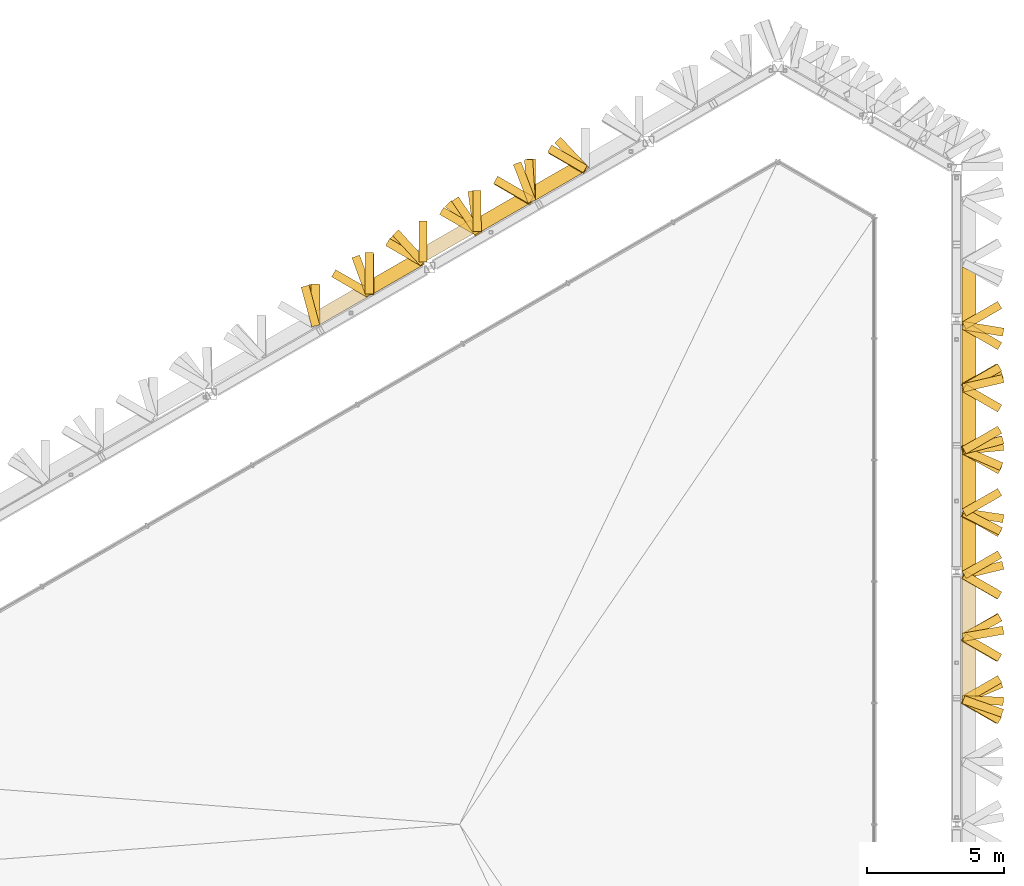
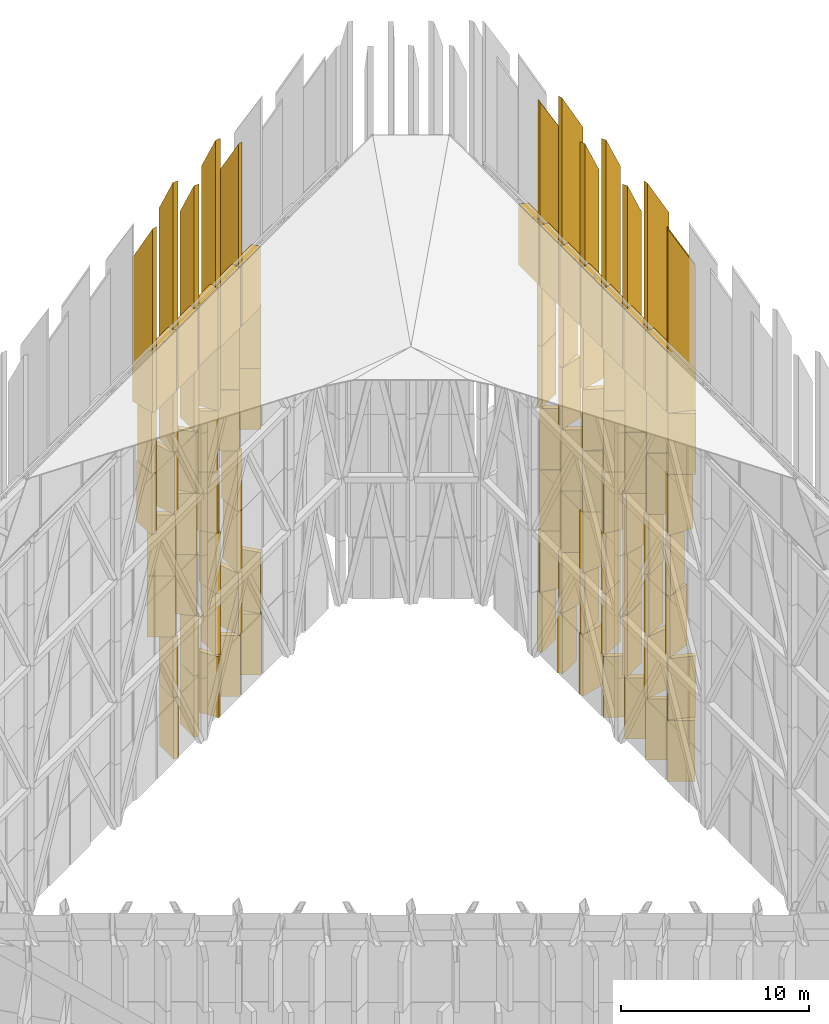
# One storey, part 43 of 45: 96 shading devices.
"""IFC4 building model written with IfcOpenShell, lengths in metres."""

import ifcopenshell
import ifcopenshell.guid

model = None  # the IFC model being written
_history = None  # IfcOwnerHistory: only IFC2X3 demands one
_inside = {}  # id of a spatial element -> (the spatial element, [elements in it])
_under = {}  # id of a project, library or spatial element -> (it, [spatial elements below it])
_declared = {}  # id of a project -> (the project, [libraries it declares])
_typed = {}  # id of a type object -> (the type object, [elements of that type])
_made_of = {}  # id of a material, layer set ... -> (it, [elements and type objects made of it])


def new_model(schema):
    """Start an empty IFC model of exactly this schema.

    Asked for "IFC4X3", IfcOpenShell would pick the latest addendum, in which some entities
    have other attributes; the version numbers below select the first issue.
    IFC2X3 requires an IfcOwnerHistory on every rooted entity: one is made here for all.
    """
    global model, _history
    if schema == "IFC4X3":
        model = ifcopenshell.file(schema_version=(4, 3, 0, 0))
    else:
        model = ifcopenshell.file(schema=schema)
    _inside.clear()
    _under.clear()
    _declared.clear()
    _typed.clear()
    _made_of.clear()
    _history = None
    if model.schema == "IFC2X3":
        org = make("IfcOrganization", Name="unknown")
        user = make(
            "IfcPersonAndOrganization",
            ThePerson=make("IfcPerson", FamilyName="unknown"),
            TheOrganization=org,
        )
        app = make(
            "IfcApplication",
            ApplicationDeveloper=org,
            Version="unknown",
            ApplicationFullName="unknown",
            ApplicationIdentifier="unknown",
        )
        _history = make(
            "IfcOwnerHistory",
            OwningUser=user,
            OwningApplication=app,
            ChangeAction="ADDED",
            CreationDate=0,
        )
    return model


def make(cls, **values):
    """One entity of the class cls with the attributes given. An attribute that is None is left unset."""
    return model.create_entity(
        cls, **{name: value for name, value in values.items() if value is not None}
    )


def rooted(cls, **values):
    """An entity with a GlobalId (a new one), such as an element, a storey or a relation."""
    return make(cls, GlobalId=ifcopenshell.guid.new(), OwnerHistory=_history, **values)


def si_unit(unit_type, name, prefix=None):
    """IfcSIUnit, for example si_unit("LENGTHUNIT", "METRE", prefix="MILLI")."""
    return make("IfcSIUnit", UnitType=unit_type, Prefix=prefix, Name=name)


def assignment(units):
    """IfcUnitAssignment: the units of a project."""
    return None if units is None else make("IfcUnitAssignment", Units=units)


def point(xyz):
    """IfcCartesianPoint."""
    return None if xyz is None else make("IfcCartesianPoint", Coordinates=xyz)


def direction(xyz):
    """IfcDirection."""
    return None if xyz is None else make("IfcDirection", DirectionRatios=xyz)


def frame(location, z_axis=None, x_axis=None):
    """IfcAxis2Placement3D, a coordinate frame: its origin and axes. An axis left out is left unset."""
    return make(
        "IfcAxis2Placement3D",
        Location=point(location),
        Axis=direction(z_axis),
        RefDirection=direction(x_axis),
    )


def frame_2d(location, x_axis=None):
    """IfcAxis2Placement2D, a coordinate frame in the plane: its origin and x axis."""
    return make(
        "IfcAxis2Placement2D", Location=point(location), RefDirection=direction(x_axis)
    )


def origin():
    """The frame at (0, 0, 0) with its axes left unset."""
    return frame((0.0, 0.0, 0.0))


def place(relative_to, where):
    """IfcLocalPlacement: puts the frame where relative to a parent placement (None: the world)."""
    return make(
        "IfcLocalPlacement", PlacementRelTo=relative_to, RelativePlacement=where
    )


def context(
    kind, dimensions, precision=None, world=None, true_north=None, identifier=None
):
    """IfcGeometricRepresentationContext, for example the 3D "Model" context."""
    return make(
        "IfcGeometricRepresentationContext",
        ContextIdentifier=identifier,
        ContextType=kind,
        CoordinateSpaceDimension=dimensions,
        Precision=precision,
        WorldCoordinateSystem=world,
        TrueNorth=true_north,
    )


def subcontext(parent, identifier, kind, view, scale=None):
    """IfcGeometricRepresentationSubContext, for example "Body" below "Model"."""
    return make(
        "IfcGeometricRepresentationSubContext",
        ContextIdentifier=identifier,
        ContextType=kind,
        ParentContext=parent,
        TargetScale=scale,
        TargetView=view,
    )


def project(units=None, contexts=None):
    """IfcProject with its units and contexts."""
    return rooted(
        "IfcProject",
        Name="project",
        RepresentationContexts=contexts,
        UnitsInContext=assignment(units),
    )


def spatial(cls, under=None, at=None, **own):
    """A site, building, storey or space (cls), placed at a placement, below another one or the project."""
    s = rooted(cls, ObjectPlacement=at, **own)
    if under is not None:
        _under.setdefault(under.id(), (under, []))[1].append(s)
    return s


def polyline(points):
    """IfcPolyline through the points."""
    return make("IfcPolyline", Points=[point(p) for p in points])


def profile(cls, at=None, kind="AREA", **sizes):
    """A parametric profile (cls). Its sizes go by their IFC names, for example OverallWidth=200.0."""
    return make(cls, ProfileType=kind, Position=at, **sizes)


def rectangle(**sizes):
    """IfcRectangleProfileDef."""
    return profile("IfcRectangleProfileDef", **sizes)


def outline(outer, holes=None, kind="AREA"):
    """IfcArbitraryClosedProfileDef: a profile drawn as a closed curve; with holes, ...WithVoids."""
    if holes is None:
        return make("IfcArbitraryClosedProfileDef", ProfileType=kind, OuterCurve=outer)
    return make(
        "IfcArbitraryProfileDefWithVoids",
        ProfileType=kind,
        OuterCurve=outer,
        InnerCurves=holes,
    )


def extrude(swept, where, along, depth):
    """IfcExtrudedAreaSolid: the profile swept, set in the frame where, extruded along a direction by depth."""
    return make(
        "IfcExtrudedAreaSolid",
        SweptArea=swept,
        Position=where,
        ExtrudedDirection=direction(along),
        Depth=depth,
    )


def shape(context_of_items, identifier, shape_type, items):
    """IfcShapeRepresentation: the items that make up one representation, for example the "Body"."""
    return make(
        "IfcShapeRepresentation",
        ContextOfItems=context_of_items,
        RepresentationIdentifier=identifier,
        RepresentationType=shape_type,
        Items=items,
    )


def material(Name=None, Category=None):
    """IfcMaterial."""
    return make("IfcMaterial", Name=Name, Category=Category)


def layer(
    of_material, thickness, ventilated=None, Name=None, Category=None, Priority=None
):
    """IfcMaterialLayer: one layer of a wall or slab, of a material (None: an air gap)."""
    return make(
        "IfcMaterialLayer",
        Material=of_material,
        LayerThickness=thickness,
        IsVentilated=ventilated,
        Name=Name,
        Category=Category,
        Priority=Priority,
    )


def layer_set(layers, Name=None):
    """IfcMaterialLayerSet."""
    return make("IfcMaterialLayerSet", MaterialLayers=layers, LayerSetName=Name)


def made_of(thing, what):
    """Note that an element or type object is made of a material, layer set ...; save() writes the relation."""
    if what is not None:
        _made_of.setdefault(what.id(), (what, []))[1].append(thing)
    return thing


def type_object(cls, material=None, **own):
    """A type object (cls), such as IfcWallType, which elements share."""
    return made_of(rooted(cls, **own), material)


def element(
    cls,
    number,
    at=None,
    inside=None,
    cuts=None,
    type_object=None,
    material=None,
    context=None,
    identifier="Body",
    shape_type=None,
    held_by="IfcProductDefinitionShape",
    body=None,
    shapes=None,
    **own,
):
    """One element of the class cls, such as IfcWall. Its Tag is "e" and its number.

    at: its placement. inside: the storey or other place that contains it. cuts: it is an
    opening in that element (IfcRelVoidsElement). A single representation is given by context,
    identifier, shape_type and body (its items); several are given by shapes. held_by: the class
    of the entity that holds the representations. save() writes the other relations.
    """
    e = rooted(cls, Tag="e%d" % number, ObjectPlacement=at, **own)
    if body is not None:
        shapes = [shape(context, identifier, shape_type, body)]
    if shapes is not None:
        e.Representation = make(held_by, Representations=shapes)
    if inside is not None:
        _inside.setdefault(inside.id(), (inside, []))[1].append(e)
    if cuts is not None:
        rooted(
            "IfcRelVoidsElement", RelatingBuildingElement=cuts, RelatedOpeningElement=e
        )
    if type_object is not None:
        _typed.setdefault(type_object.id(), (type_object, []))[1].append(e)
    return made_of(e, material)


def aggregate(whole, parts):
    """IfcRelAggregates: a whole, such as a stair, and the parts it consists of."""
    return rooted("IfcRelAggregates", RelatingObject=whole, RelatedObjects=parts)


def save(model, path):
    """Write the relations noted so far, then the file.

    IfcRelAggregates (storeys below a building ...), IfcRelContainedInSpatialStructure (elements
    in a storey), IfcRelDefinesByType, IfcRelAssociatesMaterial and IfcRelDeclares: one each for
    every whole, place, type object, material and project.
    """
    for whole, parts in _under.values():
        aggregate(whole, parts)
    for where, things in _inside.values():
        rooted(
            "IfcRelContainedInSpatialStructure",
            RelatedElements=things,
            RelatingStructure=where,
        )
    for kind, things in _typed.values():
        rooted("IfcRelDefinesByType", RelatedObjects=things, RelatingType=kind)
    for what, things in _made_of.values():
        rooted("IfcRelAssociatesMaterial", RelatedObjects=things, RelatingMaterial=what)
    for by, libraries in _declared.values():
        rooted("IfcRelDeclares", RelatingContext=by, RelatedDefinitions=libraries)
    model.write(path)


model = new_model("IFC4")

# Units and contexts
model_context = context("Model", 3, precision=1e-05, world=origin(), true_north=direction((0.0, 1.0)))
body_context = subcontext(model_context, "Body", "Model", "MODEL_VIEW")
ifc_project = project(units=[si_unit("LENGTHUNIT", "METRE"), si_unit("AREAUNIT", "SQUARE_METRE"), si_unit("VOLUMEUNIT", "CUBIC_METRE"), si_unit("PLANEANGLEUNIT", "RADIAN"), si_unit("MASSUNIT", "GRAM", prefix="KILO")], contexts=[model_context])

# Site, building, storey
site_placement = place(None, origin())
site = spatial("IfcSite", under=ifc_project, at=site_placement, CompositionType="ELEMENT")
building_placement = place(site_placement, origin())
building = spatial("IfcBuilding", under=site, at=building_placement, Name="Jabali Bay Hotel Tower and Convention Centre", CompositionType="ELEMENT")
storey_placement = place(building_placement, frame((0.0, 0.0, 322.39990234375)))
storey = spatial("IfcBuildingStorey", under=building, at=storey_placement, Name="Crown", CompositionType="ELEMENT", Elevation=322.39990234375)

# Shading devices
ifc_material_1 = material(Name="Aluminium 6063", Category="aluminium")
shading_device_type_1 = type_object("IfcShadingDeviceType", Name="Louvre bank", PredefinedType="USERDEFINED", material=ifc_material_1)
shading_device_1_placement = place(storey_placement, frame((0.0, 0.0, 23.92431640625)))
element("IfcShadingDevice", 1, at=shading_device_1_placement, inside=storey, type_object=shading_device_type_1, Name="Louvre 7.0.12", ObjectType="LOUVRE", PredefinedType="USERDEFINED", context=body_context, shape_type="SweptSolid", body=[
    extrude(outline(polyline([(93.348876953125, 86.8291015625), (93.348876953125, 84.552734375), (93.398193359375, 84.552734375), (93.447509765625, 84.6943359375), (93.848876953125, 84.554443359375), (93.848876953125, 86.76025390625), (93.400634765625, 86.681396484375), (93.374755859375, 86.8291015625), (93.348876953125, 86.8291015625)])), origin(), (0.0, 0.0, 1.0), 3.9658203125),
])
shading_device_2_placement = place(storey_placement, frame((0.0, 0.0, 23.92431640625)))
element("IfcShadingDevice", 2, at=shading_device_2_placement, inside=storey, type_object=shading_device_type_1, Name="Louvre 7.0.13", ObjectType="LOUVRE", PredefinedType="USERDEFINED", context=body_context, shape_type="SweptSolid", body=[
    extrude(outline(polyline([(93.348876953125, 89.10546875), (93.348876953125, 86.976806640625), (93.848876953125, 87.06494140625), (93.848876953125, 89.10546875), (93.7236328125, 89.10546875), (93.498779296875, 88.9755859375), (93.423828125, 89.10546875), (93.348876953125, 89.10546875)])), origin(), (0.0, 0.0, 1.0), 3.9658203125),
])
shading_device_3_placement = place(storey_placement, frame((0.0, 0.0, 23.92431640625)))
element("IfcShadingDevice", 3, at=shading_device_3_placement, inside=storey, type_object=shading_device_type_1, Name="Louvre 7.0.14", ObjectType="LOUVRE", PredefinedType="USERDEFINED", context=body_context, shape_type="SweptSolid", body=[
    extrude(outline(polyline([(93.348876953125, 91.3818359375), (93.348876953125, 89.2353515625), (93.848876953125, 89.524169921875), (93.848876953125, 91.3818359375), (93.7236328125, 91.3818359375), (93.498779296875, 91.251953125), (93.423828125, 91.3818359375), (93.348876953125, 91.3818359375)])), origin(), (0.0, 0.0, 1.0), 3.9658203125),
])
shading_device_4_placement = place(storey_placement, frame((0.0, 0.0, 23.92431640625)))
element("IfcShadingDevice", 4, at=shading_device_4_placement, inside=storey, type_object=shading_device_type_1, Name="Louvre 7.0.15", ObjectType="LOUVRE", PredefinedType="USERDEFINED", context=body_context, shape_type="SweptSolid", body=[
    extrude(outline(polyline([(93.348876953125, 93.658203125), (93.348876953125, 91.51171875), (93.848876953125, 91.800537109375), (93.848876953125, 93.658203125), (93.7236328125, 93.658203125), (93.498779296875, 93.5283203125), (93.423828125, 93.658203125), (93.348876953125, 93.658203125)])), origin(), (0.0, 0.0, 1.0), 3.9658203125),
])
shading_device_5_placement = place(storey_placement, frame((0.0, 0.0, 23.92431640625)))
element("IfcShadingDevice", 5, at=shading_device_5_placement, inside=storey, type_object=shading_device_type_1, Name="Louvre 7.0.16", ObjectType="LOUVRE", PredefinedType="USERDEFINED", context=body_context, shape_type="SweptSolid", body=[
    extrude(outline(polyline([(93.348876953125, 95.9345703125), (93.348876953125, 93.7880859375), (93.848876953125, 94.076904296875), (93.848876953125, 95.88916015625), (93.416748046875, 95.78857421875), (93.3828125, 95.9345703125), (93.348876953125, 95.9345703125)])), origin(), (0.0, 0.0, 1.0), 3.9658203125),
])
shading_device_6_placement = place(storey_placement, frame((0.0, 0.0, 23.92431640625)))
element("IfcShadingDevice", 6, at=shading_device_6_placement, inside=storey, type_object=shading_device_type_1, Name="Louvre 7.0.17", ObjectType="LOUVRE", PredefinedType="USERDEFINED", context=body_context, shape_type="SweptSolid", body=[
    extrude(outline(polyline([(93.348876953125, 98.06298828125), (93.348876953125, 96.080810546875), (93.848876953125, 96.197021484375), (93.848876953125, 97.98095703125), (93.348876953125, 98.06298828125)])), origin(), (0.0, 0.0, 1.0), 3.9658203125),
])
shading_device_7_placement = place(storey_placement, frame((0.0, 0.0, 23.92431640625)))
element("IfcShadingDevice", 7, at=shading_device_7_placement, inside=storey, type_object=shading_device_type_1, Name="Louvre 7.0.18", ObjectType="LOUVRE", PredefinedType="USERDEFINED", context=body_context, shape_type="SweptSolid", body=[
    extrude(outline(polyline([(93.348876953125, 100.353271484375), (93.348876953125, 98.2109375), (93.373046875, 98.2109375), (93.397216796875, 98.359130859375), (93.848876953125, 98.28515625), (93.848876953125, 100.102783203125), (93.348876953125, 100.353271484375)])), origin(), (0.0, 0.0, 1.0), 3.9658203125),
])
shading_device_8_placement = place(storey_placement, frame((0.0, 0.0, 23.92431640625)))
element("IfcShadingDevice", 8, at=shading_device_8_placement, inside=storey, type_object=shading_device_type_1, Name="Louvre 7.2.31", ObjectType="LOUVRE", PredefinedType="USERDEFINED", context=body_context, shape_type="SweptSolid", body=[
    extrude(outline(polyline([(77.782470703125, 102.793701171875), (79.4990234375, 103.78466796875), (79.14794921875, 104.159423828125), (77.60009765625, 103.265869140625), (77.782470703125, 102.793701171875)])), origin(), (0.0, 0.0, 1.0), 3.9658203125),
])
shading_device_9_placement = place(storey_placement, frame((0.0, 0.0, 23.92431640625)))
element("IfcShadingDevice", 9, at=shading_device_9_placement, inside=storey, type_object=shading_device_type_1, Name="Louvre 7.2.32", ObjectType="LOUVRE", PredefinedType="USERDEFINED", context=body_context, shape_type="SweptSolid", body=[
    extrude(outline(polyline([(75.795654296875, 101.646728515625), (77.654052734375, 102.7197265625), (77.642333984375, 102.73974609375), (77.50244140625, 102.685791015625), (77.337158203125, 103.114013671875), (75.79052734375, 102.22119140625), (75.795654296875, 101.646728515625)])), origin(), (0.0, 0.0, 1.0), 3.9658203125),
])
shading_device_10_placement = place(storey_placement, frame((0.0, 0.0, 23.92431640625)))
element("IfcShadingDevice", 10, at=shading_device_10_placement, inside=storey, type_object=shading_device_type_1, Name="Louvre 7.2.33", ObjectType="LOUVRE", PredefinedType="USERDEFINED", context=body_context, shape_type="SweptSolid", body=[
    extrude(outline(polyline([(73.81201171875, 100.5859375), (75.64599609375, 101.644775390625), (75.645751953125, 101.645263671875), (75.495849609375, 101.64404296875), (75.493408203125, 101.9091796875), (75.39599609375, 102.077880859375), (73.81201171875, 101.163330078125), (73.81201171875, 100.5859375)])), origin(), (0.0, 0.0, 1.0), 3.9658203125),
])
shading_device_11_placement = place(storey_placement, frame((0.0, 0.0, 23.92431640625)))
element("IfcShadingDevice", 11, at=shading_device_11_placement, inside=storey, type_object=shading_device_type_1, Name="Louvre 7.2.34", ObjectType="LOUVRE", PredefinedType="USERDEFINED", context=body_context, shape_type="SweptSolid", body=[
    extrude(outline(polyline([(71.852294921875, 99.3701171875), (73.711181640625, 100.443359375), (73.661865234375, 100.528564453125), (73.511962890625, 100.528564453125), (73.511962890625, 100.78857421875), (73.461181640625, 100.876220703125), (71.852294921875, 99.947265625), (71.852294921875, 99.3701171875)])), origin(), (0.0, 0.0, 1.0), 3.9658203125),
])
shading_device_12_placement = place(storey_placement, frame((0.0, 0.0, 23.92431640625)))
element("IfcShadingDevice", 12, at=shading_device_12_placement, inside=storey, type_object=shading_device_type_1, Name="Louvre 7.2.35", ObjectType="LOUVRE", PredefinedType="USERDEFINED", context=body_context, shape_type="SweptSolid", body=[
    extrude(outline(polyline([(69.893798828125, 98.2392578125), (71.73974609375, 99.30517578125), (71.702392578125, 99.3701171875), (71.55224609375, 99.3701171875), (71.55224609375, 99.6298828125), (71.48974609375, 99.738037109375), (69.760009765625, 98.7392578125), (69.893798828125, 98.2392578125)])), origin(), (0.0, 0.0, 1.0), 3.9658203125),
])
ifc_material_2 = material(Name="Precast concrete C60", Category="concrete")
ifc_layer = layer(ifc_material_2, 0.300048828125)
ifc_layer_set = layer_set([ifc_layer], Name="Precast concrete C60")
shading_device_type_2 = type_object("IfcShadingDeviceType", Name="Precast fin 3966 x 1500", PredefinedType="USERDEFINED", material=ifc_layer_set)
for number, where, z_axis, x_axis, name in (
    (13, (93.373779296875, 84.552734375, 0.010009765625), (0.0, 0.0, 1.0), (0.866031096941, -0.499990139034, 0.0), "Fin Crown:0 012"),
    (14, (93.373779296875, 86.8291015625, 0.010009765625), (0.0, 0.0, 1.0), (0.866031096941, -0.499990139034, 0.0), "Fin Crown:0 013"),
    (15, (93.396484375, 89.10546875, 0.010009765625), (0.0, 0.0, 1.0), (0.866031096941, -0.499990139034, 0.0), "Fin Crown:0 014"),
    (16, (93.366943359375, 91.3818359375, 0.010009765625), (0.0, 0.0, 1.0), (0.890519684828, -0.454944711953, 0.0), "Fin Crown:0 015"),
):
    element("IfcShadingDevice", number, at=place(storey_placement, frame(where, z_axis=z_axis, x_axis=x_axis)), inside=storey, type_object=shading_device_type_2, Name=name, ObjectType="FIN", PredefinedType="USERDEFINED", context=body_context, shape_type="SweptSolid", body=[
        extrude(rectangle(XDim=1.5, YDim=0.300048828125, at=frame_2d((0.75, 0.0))), origin(), (0.0, 0.0, 1.0), 3.9658203125),
    ])
shading_device_13_placement = place(storey_placement, frame((93.33642578125, 93.658203125, 0.010009765625), z_axis=(0.0, 0.0, 1.0), x_axis=(0.967831225659, 0.251600315263, 0.0)))
element("IfcShadingDevice", 17, at=shading_device_13_placement, inside=storey, type_object=shading_device_type_2, Name="Fin Crown:0 016", ObjectType="FIN", PredefinedType="USERDEFINED", context=body_context, shape_type="SweptSolid", body=[
    extrude(rectangle(XDim=1.500244140625, YDim=0.300048828125, at=frame_2d((0.75, 0.0))), origin(), (0.0, 0.0, 1.0), 3.9658203125),
])
for number, where, z_axis, x_axis, name in (
    (18, (93.373779296875, 95.9345703125, 0.010009765625), (0.0, 0.0, 1.0), (0.866031096941, 0.499990139034, 0.0), "Fin Crown:0 017"),
    (19, (93.423828125, 98.2109375, 0.010009765625), (0.0, 0.0, 1.0), (0.866031096941, 0.499990139034, 0.0), "Fin Crown:0 018"),
    (20, (79.613037109375, 103.87939453125, 0.010009765625), (0.0, 0.0, 1.0), (-0.866031096941, 0.499990139034, 0.0), "Fin Crown:0 031"),
    (21, (77.6416015625, 102.7412109375, 0.010009765625), (0.0, 0.0, 1.0), (-0.866031096941, 0.499990139034, 0.0), "Fin Crown:0 032"),
    (22, (75.7021484375, 101.547607421875, 0.010009765625), (0.0, 0.0, 1.0), (-0.562002808359, 0.827135323509, 0.0), "Fin Crown:0 033"),
    (23, (73.661865234375, 100.528564453125, 0.010009765625), (0.0, 0.0, 1.0), (0.0, 1.0, 0.0), "Fin Crown:0 034"),
    (24, (71.727294921875, 99.32666015625, 0.010009765625), (0.0, 0.0, 1.0), (0.0, 1.0, 0.0), "Fin Crown:0 035"),
):
    element("IfcShadingDevice", number, at=place(storey_placement, frame(where, z_axis=z_axis, x_axis=x_axis)), inside=storey, type_object=shading_device_type_2, Name=name, ObjectType="FIN", PredefinedType="USERDEFINED", context=body_context, shape_type="SweptSolid", body=[
        extrude(rectangle(XDim=1.5, YDim=0.300048828125, at=frame_2d((0.75, 0.0))), origin(), (0.0, 0.0, 1.0), 3.9658203125),
    ])
shading_device_14_placement = place(storey_placement, frame((93.398193359375, 84.552734375, 3.995849609375), z_axis=(0.0, 0.0, 1.0), x_axis=(0.944281385294, -0.329139279618, 0.0)))
element("IfcShadingDevice", 25, at=shading_device_14_placement, inside=storey, type_object=shading_device_type_2, Name="Fin Crown:1 012", ObjectType="FIN", PredefinedType="USERDEFINED", context=body_context, shape_type="SweptSolid", body=[
    extrude(rectangle(XDim=1.499755859375, YDim=0.300048828125, at=frame_2d((0.75, 0.0))), origin(), (0.0, 0.0, 1.0), 3.965576171875),
])
for number, where, z_axis, x_axis, name in (
    (26, (93.374755859375, 86.8291015625, 3.995849609375), (0.0, 0.0, 1.0), (0.984862107204, 0.173339637113, 0.0), "Fin Crown:1 013"),
    (27, (93.423828125, 89.10546875, 3.995849609375), (0.0, 0.0, 1.0), (0.866031096941, 0.499990139034, 0.0), "Fin Crown:1 014"),
    (28, (93.423828125, 91.3818359375, 3.995849609375), (0.0, 0.0, 1.0), (0.866031096941, 0.499990139034, 0.0), "Fin Crown:1 015"),
    (29, (93.423828125, 93.658203125, 3.995849609375), (0.0, 0.0, 1.0), (0.866031096941, 0.499990139034, 0.0), "Fin Crown:1 016"),
    (30, (93.3828125, 95.9345703125, 3.995849609375), (0.0, 0.0, 1.0), (0.973994663293, 0.226570951087, 0.0), "Fin Crown:1 017"),
    (31, (93.373046875, 98.2109375, 3.995849609375), (0.0, 0.0, 1.0), (0.986851934749, -0.161626912618, 0.0), "Fin Crown:1 018"),
    (32, (79.6083984375, 103.88720703125, 3.995849609375), (0.0, 0.0, 1.0), (-0.683448280265, 0.729998937125, 0.0), "Fin Crown:1 031"),
    (33, (77.642333984375, 102.73974609375, 3.995849609375), (0.0, 0.0, 1.0), (-0.360025889068, 0.932942312901, 0.0), "Fin Crown:1 032"),
    (34, (75.645751953125, 101.645263671875, 3.995849609375), (0.0, 0.0, 1.0), (-0.009114204757, 0.999958464773, 0.0), "Fin Crown:1 033"),
    (35, (73.661865234375, 100.528564453125, 3.995849609375), (0.0, 0.0, 1.0), (0.0, 1.0, 0.0), "Fin Crown:1 034"),
    (36, (71.702392578125, 99.3701171875, 3.995849609375), (0.0, 0.0, 1.0), (0.0, 1.0, 0.0), "Fin Crown:1 035"),
):
    element("IfcShadingDevice", number, at=place(storey_placement, frame(where, z_axis=z_axis, x_axis=x_axis)), inside=storey, type_object=shading_device_type_2, Name=name, ObjectType="FIN", PredefinedType="USERDEFINED", context=body_context, shape_type="SweptSolid", body=[
        extrude(rectangle(XDim=1.5, YDim=0.300048828125, at=frame_2d((0.75, 0.0))), origin(), (0.0, 0.0, 1.0), 3.965576171875),
    ])
for number, where, z_axis, x_axis, name in (
    (37, (93.4072265625, 84.552734375, 7.9814453125), (0.0, 0.0, 1.0), (0.92095377143, 0.389671850266, 0.0), "Fin Crown:2 012"),
    (38, (93.423828125, 86.8291015625, 7.9814453125), (0.0, 0.0, 1.0), (0.866031096941, 0.499990139034, 0.0), "Fin Crown:2 013"),
    (39, (93.423828125, 89.10546875, 7.9814453125), (0.0, 0.0, 1.0), (0.866031096941, 0.499990139034, 0.0), "Fin Crown:2 014"),
    (40, (93.423828125, 91.3818359375, 7.9814453125), (0.0, 0.0, 1.0), (0.866031096941, 0.499990139034, 0.0), "Fin Crown:2 015"),
    (41, (93.363037109375, 93.658203125, 7.9814453125), (0.0, 0.0, 1.0), (0.995425713158, 0.095538733424, 0.0), "Fin Crown:2 016"),
    (42, (93.423828125, 95.9345703125, 7.9814453125), (0.0, 0.0, 1.0), (0.866031096941, -0.499990139034, 0.0), "Fin Crown:2 017"),
    (43, (93.423828125, 98.2109375, 7.9814453125), (0.0, 0.0, 1.0), (0.866031096941, -0.499990139034, 0.0), "Fin Crown:2 018"),
    (44, (77.616455078125, 102.78466796875, 7.9814453125), (0.0, 0.0, 1.0), (0.0, 1.0, 0.0), "Fin Crown:2 032"),
):
    element("IfcShadingDevice", number, at=place(storey_placement, frame(where, z_axis=z_axis, x_axis=x_axis)), inside=storey, type_object=shading_device_type_2, Name=name, ObjectType="FIN", PredefinedType="USERDEFINED", context=body_context, shape_type="SweptSolid", body=[
        extrude(rectangle(XDim=1.5, YDim=0.300048828125, at=frame_2d((0.75, 0.0))), origin(), (0.0, 0.0, 1.0), 3.9658203125),
    ])
shading_device_15_placement = place(storey_placement, frame((75.654052734375, 101.630859375, 7.9814453125), z_axis=(0.0, 0.0, 1.0), x_axis=(-0.131982500357, 0.991252046454, 0.0)))
element("IfcShadingDevice", 45, at=shading_device_15_placement, inside=storey, type_object=shading_device_type_2, Name="Fin Crown:2 033", ObjectType="FIN", PredefinedType="USERDEFINED", context=body_context, shape_type="SweptSolid", body=[
    extrude(rectangle(XDim=1.500244140625, YDim=0.300048828125, at=frame_2d((0.75, 0.0))), origin(), (0.0, 0.0, 1.0), 3.9658203125),
])
for number, where, z_axis, x_axis, name in (
    (46, (73.6826171875, 100.492919921875, 7.9814453125), (0.0, 0.0, 1.0), (-0.764835217963, 0.644225961417, 0.0), "Fin Crown:2 034"),
    (47, (71.702392578125, 99.3701171875, 7.9814453125), (0.0, 0.0, 1.0), (-0.866031096941, 0.499990139034, 0.0), "Fin Crown:2 035"),
):
    element("IfcShadingDevice", number, at=place(storey_placement, frame(where, z_axis=z_axis, x_axis=x_axis)), inside=storey, type_object=shading_device_type_2, Name=name, ObjectType="FIN", PredefinedType="USERDEFINED", context=body_context, shape_type="SweptSolid", body=[
        extrude(rectangle(XDim=1.5, YDim=0.300048828125, at=frame_2d((0.75, 0.0))), origin(), (0.0, 0.0, 1.0), 3.9658203125),
    ])
shading_device_16_placement = place(storey_placement, frame((93.423828125, 84.552734375, 11.96728515625), z_axis=(0.0, 0.0, 1.0), x_axis=(0.866031096941, 0.499990139034, 0.0)))
element("IfcShadingDevice", 48, at=shading_device_16_placement, inside=storey, type_object=shading_device_type_2, Name="Fin Crown:3 012", ObjectType="FIN", PredefinedType="USERDEFINED", context=body_context, shape_type="SweptSolid", body=[
    extrude(rectangle(XDim=1.5, YDim=0.300048828125, at=frame_2d((0.75, 0.0))), origin(), (0.0, 0.0, 1.0), 3.965576171875),
])
shading_device_17_placement = place(storey_placement, frame((93.421630859375, 86.8291015625, 11.96728515625), z_axis=(0.0, 0.0, 1.0), x_axis=(0.87428777514, 0.485407958568, 0.0)))
element("IfcShadingDevice", 49, at=shading_device_17_placement, inside=storey, type_object=shading_device_type_2, Name="Fin Crown:3 013", ObjectType="FIN", PredefinedType="USERDEFINED", context=body_context, shape_type="SweptSolid", body=[
    extrude(rectangle(XDim=1.499755859375, YDim=0.300048828125, at=frame_2d((0.75, 0.0))), origin(), (0.0, 0.0, 1.0), 3.965576171875),
])
shading_device_18_placement = place(storey_placement, frame((93.384033203125, 89.10546875, 11.96728515625), z_axis=(0.0, 0.0, 1.0), x_axis=(0.971915561519, 0.235329856322, 0.0)))
element("IfcShadingDevice", 50, at=shading_device_18_placement, inside=storey, type_object=shading_device_type_2, Name="Fin Crown:3 014", ObjectType="FIN", PredefinedType="USERDEFINED", context=body_context, shape_type="SweptSolid", body=[
    extrude(rectangle(XDim=1.500244140625, YDim=0.300048828125, at=frame_2d((0.75, 0.0))), origin(), (0.0, 0.0, 1.0), 3.965576171875),
])
shading_device_19_placement = place(storey_placement, frame((93.37060546875, 91.3818359375, 11.96728515625), z_axis=(0.0, 0.0, 1.0), x_axis=(0.989451961717, -0.144861366331, 0.0)))
element("IfcShadingDevice", 51, at=shading_device_19_placement, inside=storey, type_object=shading_device_type_2, Name="Fin Crown:3 015", ObjectType="FIN", PredefinedType="USERDEFINED", context=body_context, shape_type="SweptSolid", body=[
    extrude(rectangle(XDim=1.5, YDim=0.300048828125, at=frame_2d((0.75, 0.0))), origin(), (0.0, 0.0, 1.0), 3.965576171875),
])
shading_device_20_placement = place(storey_placement, frame((93.421630859375, 93.658203125, 11.96728515625), z_axis=(0.0, 0.0, 1.0), x_axis=(0.874111203294, -0.485725853004, 0.0)))
element("IfcShadingDevice", 52, at=shading_device_20_placement, inside=storey, type_object=shading_device_type_2, Name="Fin Crown:3 016", ObjectType="FIN", PredefinedType="USERDEFINED", context=body_context, shape_type="SweptSolid", body=[
    extrude(rectangle(XDim=1.499755859375, YDim=0.300048828125, at=frame_2d((0.75, 0.0))), origin(), (0.0, 0.0, 1.0), 3.965576171875),
])
for number, where, z_axis, x_axis, name in (
    (53, (93.423828125, 95.9345703125, 11.96728515625), (0.0, 0.0, 1.0), (0.866031096941, -0.499990139034, 0.0), "Fin Crown:3 017"),
    (54, (93.423828125, 98.2109375, 11.96728515625), (0.0, 0.0, 1.0), (0.866031096941, -0.499990139034, 0.0), "Fin Crown:3 018"),
    (55, (77.62109375, 102.77685546875, 11.96728515625), (0.0, 0.0, 1.0), (-0.067545224891, 0.997716213457, 0.0), "Fin Crown:3 032"),
    (56, (75.662353515625, 101.616455078125, 11.96728515625), (0.0, 0.0, 1.0), (-0.714876475197, 0.699250759892, 0.0), "Fin Crown:3 033"),
    (57, (73.673828125, 100.50830078125, 11.96728515625), (0.0, 0.0, 1.0), (-0.866031096941, 0.499990139034, 0.0), "Fin Crown:3 034"),
    (58, (71.702392578125, 99.3701171875, 11.96728515625), (0.0, 0.0, 1.0), (-0.866031096941, 0.499990139034, 0.0), "Fin Crown:3 035"),
):
    element("IfcShadingDevice", number, at=place(storey_placement, frame(where, z_axis=z_axis, x_axis=x_axis)), inside=storey, type_object=shading_device_type_2, Name=name, ObjectType="FIN", PredefinedType="USERDEFINED", context=body_context, shape_type="SweptSolid", body=[
        extrude(rectangle(XDim=1.5, YDim=0.300048828125, at=frame_2d((0.75, 0.0))), origin(), (0.0, 0.0, 1.0), 3.965576171875),
    ])
for number, where, z_axis, x_axis, name in (
    (59, (93.354736328125, 84.552734375, 15.952880859375), (0.0, 0.0, 1.0), (0.999198096122, -0.040039539281, 0.0), "Fin Crown:4 012"),
    (60, (93.423828125, 86.8291015625, 15.952880859375), (0.0, 0.0, 1.0), (0.866031096941, -0.499990139034, 0.0), "Fin Crown:4 013"),
    (61, (93.423828125, 89.10546875, 15.952880859375), (0.0, 0.0, 1.0), (0.866031096941, -0.499990139034, 0.0), "Fin Crown:4 014"),
    (62, (93.423828125, 91.3818359375, 15.952880859375), (0.0, 0.0, 1.0), (0.866031096941, -0.499990139034, 0.0), "Fin Crown:4 015"),
    (63, (93.408447265625, 93.658203125, 15.952880859375), (0.0, 0.0, 1.0), (0.91747841499, -0.397785567897, 0.0), "Fin Crown:4 016"),
    (64, (93.3974609375, 95.9345703125, 15.952880859375), (0.0, 0.0, 1.0), (0.946030094128, 0.324078788267, 0.0), "Fin Crown:4 017"),
    (65, (93.423828125, 98.2109375, 15.952880859375), (0.0, 0.0, 1.0), (0.866031096941, 0.499990139034, 0.0), "Fin Crown:4 018"),
    (66, (79.587890625, 103.9228515625, 15.952880859375), (0.0, 0.0, 1.0), (-0.866031096941, 0.499990139034, 0.0), "Fin Crown:4 031"),
    (67, (77.616455078125, 102.78466796875, 15.952880859375), (0.0, 0.0, 1.0), (-0.866031096941, 0.499990139034, 0.0), "Fin Crown:4 032"),
):
    element("IfcShadingDevice", number, at=place(storey_placement, frame(where, z_axis=z_axis, x_axis=x_axis)), inside=storey, type_object=shading_device_type_2, Name=name, ObjectType="FIN", PredefinedType="USERDEFINED", context=body_context, shape_type="SweptSolid", body=[
        extrude(rectangle(XDim=1.5, YDim=0.300048828125, at=frame_2d((0.75, 0.0))), origin(), (0.0, 0.0, 1.0), 3.9658203125),
    ])
shading_device_21_placement = place(storey_placement, frame((75.64501953125, 101.646484375, 15.952880859375), z_axis=(0.0, 0.0, 1.0), x_axis=(-0.86599040064, 0.500060622324, 0.0)))
element("IfcShadingDevice", 68, at=shading_device_21_placement, inside=storey, type_object=shading_device_type_2, Name="Fin Crown:4 033", ObjectType="FIN", PredefinedType="USERDEFINED", context=body_context, shape_type="SweptSolid", body=[
    extrude(rectangle(XDim=1.499755859375, YDim=0.300048828125, at=frame_2d((0.75, 0.0))), origin(), (0.0, 0.0, 1.0), 3.9658203125),
])
for number, where, z_axis, x_axis, name in (
    (69, (73.679443359375, 100.498046875, 15.952880859375), (0.0, 0.0, 1.0), (-0.676100421575, 0.736809486873, 0.0), "Fin Crown:4 034"),
    (70, (71.72705078125, 99.3271484375, 15.952880859375), (0.0, 0.0, 1.0), (-0.344890629436, 0.938642878696, 0.0), "Fin Crown:4 035"),
):
    element("IfcShadingDevice", number, at=place(storey_placement, frame(where, z_axis=z_axis, x_axis=x_axis)), inside=storey, type_object=shading_device_type_2, Name=name, ObjectType="FIN", PredefinedType="USERDEFINED", context=body_context, shape_type="SweptSolid", body=[
        extrude(rectangle(XDim=1.5, YDim=0.300048828125, at=frame_2d((0.75, 0.0))), origin(), (0.0, 0.0, 1.0), 3.9658203125),
    ])
shading_device_22_placement = place(storey_placement, frame((69.734375, 98.2255859375, 15.952880859375), z_axis=(0.0, 0.0, 1.0), x_axis=(-0.053541085072, 0.998565647421, 0.0)))
element("IfcShadingDevice", 71, at=shading_device_22_placement, inside=storey, type_object=shading_device_type_2, Name="Fin Crown:4 036", ObjectType="FIN", PredefinedType="USERDEFINED", context=body_context, shape_type="SweptSolid", body=[
    extrude(rectangle(XDim=1.500244140625, YDim=0.300048828125, at=frame_2d((0.75, 0.0))), origin(), (0.0, 0.0, 1.0), 3.9658203125),
])
for number, where, z_axis, x_axis, name in (
    (72, (93.423828125, 84.552734375, 19.938720703125), (0.0, 0.0, 1.0), (0.866031096941, -0.499990139034, 0.0), "Fin Crown:5 012"),
    (73, (93.423828125, 86.8291015625, 19.938720703125), (0.0, 0.0, 1.0), (0.866031096941, -0.499990139034, 0.0), "Fin Crown:5 013"),
    (74, (93.423828125, 89.10546875, 19.938720703125), (0.0, 0.0, 1.0), (0.866031096941, -0.499990139034, 0.0), "Fin Crown:5 014"),
    (75, (93.4169921875, 91.3818359375, 19.938720703125), (0.0, 0.0, 1.0), (0.890519684828, -0.454944711953, 0.0), "Fin Crown:5 015"),
    (76, (93.386474609375, 93.658203125, 19.938720703125), (0.0, 0.0, 1.0), (0.967820921165, 0.251639950239, 0.0), "Fin Crown:5 016"),
    (77, (93.423828125, 95.9345703125, 19.938720703125), (0.0, 0.0, 1.0), (0.866031096941, 0.499990139034, 0.0), "Fin Crown:5 017"),
    (78, (93.423828125, 98.2109375, 19.938720703125), (0.0, 0.0, 1.0), (0.866031096941, 0.499990139034, 0.0), "Fin Crown:5 018"),
    (79, (79.587890625, 103.9228515625, 19.938720703125), (0.0, 0.0, 1.0), (-0.866031096941, 0.499990139034, 0.0), "Fin Crown:5 031"),
    (80, (77.616455078125, 102.78466796875, 19.938720703125), (0.0, 0.0, 1.0), (-0.866031096941, 0.499990139034, 0.0), "Fin Crown:5 032"),
    (81, (75.67724609375, 101.5908203125, 19.938720703125), (0.0, 0.0, 1.0), (-0.562002808359, 0.827135323509, 0.0), "Fin Crown:5 033"),
    (82, (73.661865234375, 100.528564453125, 19.938720703125), (0.0, 0.0, 1.0), (0.0, 1.0, 0.0), "Fin Crown:5 034"),
    (83, (71.702392578125, 99.3701171875, 19.938720703125), (0.0, 0.0, 1.0), (0.0, 1.0, 0.0), "Fin Crown:5 035"),
    (84, (69.73095703125, 98.231689453125, 19.938720703125), (0.0, 0.0, 1.0), (0.0, 1.0, 0.0), "Fin Crown:5 036"),
):
    element("IfcShadingDevice", number, at=place(storey_placement, frame(where, z_axis=z_axis, x_axis=x_axis)), inside=storey, type_object=shading_device_type_2, Name=name, ObjectType="FIN", PredefinedType="USERDEFINED", context=body_context, shape_type="SweptSolid", body=[
        extrude(rectangle(XDim=1.5, YDim=0.300048828125, at=frame_2d((0.75, 0.0))), origin(), (0.0, 0.0, 1.0), 3.965576171875),
    ])
shading_device_23_placement = place(storey_placement, frame((93.398193359375, 84.552734375, 23.92431640625), z_axis=(0.0, 0.0, 1.0), x_axis=(0.944281385294, -0.329139279618, 0.0)))
element("IfcShadingDevice", 85, at=shading_device_23_placement, inside=storey, type_object=shading_device_type_2, Name="Fin Crown:6 012", ObjectType="FIN", PredefinedType="USERDEFINED", context=body_context, shape_type="SweptSolid", body=[
    extrude(outline(polyline([(0.0, 0.0), (1.499755859375, 0.0), (1.5, 9.36767578125), (0.0, 11.9658203125), (0.0, 0.0)])), frame((0.0, 0.14990234375, 0.0), z_axis=(0.0, -1.0, 0.0), x_axis=(1.0, 0.0, 0.0)), (0.0, 0.0, 1.0), 0.300048828125),
])
shading_device_24_placement = place(storey_placement, frame((93.374755859375, 86.8291015625, 23.92431640625), z_axis=(0.0, 0.0, 1.0), x_axis=(0.984862107204, 0.173339637113, 0.0)))
element("IfcShadingDevice", 86, at=shading_device_24_placement, inside=storey, type_object=shading_device_type_2, Name="Fin Crown:6 013", ObjectType="FIN", PredefinedType="USERDEFINED", context=body_context, shape_type="SweptSolid", body=[
    extrude(outline(polyline([(0.0, 0.0), (1.5, 0.0), (1.5, 10.9677734375), (0.0, 13.565673828125), (0.0, 0.0)])), frame((0.0, 0.14990234375, 0.0), z_axis=(0.0, -1.0, 0.0), x_axis=(1.0, 0.0, 0.0)), (0.0, 0.0, 1.0), 0.300048828125),
])
shading_device_25_placement = place(storey_placement, frame((93.423828125, 89.10546875, 23.92431640625), z_axis=(0.0, 0.0, 1.0), x_axis=(0.866031096941, 0.499990139034, 0.0)))
element("IfcShadingDevice", 87, at=shading_device_25_placement, inside=storey, type_object=shading_device_type_2, Name="Fin Crown:6 014", ObjectType="FIN", PredefinedType="USERDEFINED", context=body_context, shape_type="SweptSolid", body=[
    extrude(outline(polyline([(0.0, 0.0), (1.5, 0.0), (1.5, 9.36767578125), (0.0, 11.9658203125), (0.0, 0.0)])), frame((0.0, 0.14990234375, 0.0), z_axis=(0.0, -1.0, 0.0), x_axis=(1.0, 0.0, 0.0)), (0.0, 0.0, 1.0), 0.300048828125),
])
shading_device_26_placement = place(storey_placement, frame((93.423828125, 91.3818359375, 23.92431640625), z_axis=(0.0, 0.0, 1.0), x_axis=(0.866031096941, 0.499990139034, 0.0)))
element("IfcShadingDevice", 88, at=shading_device_26_placement, inside=storey, type_object=shading_device_type_2, Name="Fin Crown:6 015", ObjectType="FIN", PredefinedType="USERDEFINED", context=body_context, shape_type="SweptSolid", body=[
    extrude(outline(polyline([(0.0, 0.0), (1.5, 0.0), (1.5, 10.9677734375), (0.0, 13.565673828125), (0.0, 0.0)])), frame((0.0, 0.14990234375, 0.0), z_axis=(0.0, -1.0, 0.0), x_axis=(1.0, 0.0, 0.0)), (0.0, 0.0, 1.0), 0.300048828125),
])
shading_device_27_placement = place(storey_placement, frame((93.423828125, 93.658203125, 23.92431640625), z_axis=(0.0, 0.0, 1.0), x_axis=(0.866031096941, 0.499990139034, 0.0)))
element("IfcShadingDevice", 89, at=shading_device_27_placement, inside=storey, type_object=shading_device_type_2, Name="Fin Crown:6 016", ObjectType="FIN", PredefinedType="USERDEFINED", context=body_context, shape_type="SweptSolid", body=[
    extrude(outline(polyline([(0.0, 0.0), (1.5, 0.0), (1.5, 9.36767578125), (0.0, 11.9658203125), (0.0, 0.0)])), frame((0.0, 0.14990234375, 0.0), z_axis=(0.0, -1.0, 0.0), x_axis=(1.0, 0.0, 0.0)), (0.0, 0.0, 1.0), 0.300048828125),
])
shading_device_28_placement = place(storey_placement, frame((93.3828125, 95.9345703125, 23.92431640625), z_axis=(0.0, 0.0, 1.0), x_axis=(0.973994663293, 0.226570951087, 0.0)))
element("IfcShadingDevice", 90, at=shading_device_28_placement, inside=storey, type_object=shading_device_type_2, Name="Fin Crown:6 017", ObjectType="FIN", PredefinedType="USERDEFINED", context=body_context, shape_type="SweptSolid", body=[
    extrude(outline(polyline([(0.0, 0.0), (1.5, 0.0), (1.5, 10.9677734375), (0.0, 13.565673828125), (0.0, 0.0)])), frame((0.0, 0.14990234375, 0.0), z_axis=(0.0, -1.0, 0.0), x_axis=(1.0, 0.0, 0.0)), (0.0, 0.0, 1.0), 0.300048828125),
])
for number, where, z_axis, x_axis, name in (
    (91, (93.373046875, 98.2109375, 23.92431640625), (0.0, 0.0, 1.0), (0.986851934749, -0.161626912618, 0.0), "Fin Crown:6 018"),
    (92, (77.642333984375, 102.73974609375, 23.92431640625), (0.0, 0.0, 1.0), (-0.360025889068, 0.932942312901, 0.0), "Fin Crown:6 032"),
):
    element("IfcShadingDevice", number, at=place(storey_placement, frame(where, z_axis=z_axis, x_axis=x_axis)), inside=storey, type_object=shading_device_type_2, Name=name, ObjectType="FIN", PredefinedType="USERDEFINED", context=body_context, shape_type="SweptSolid", body=[
        extrude(outline(polyline([(0.0, 0.0), (1.5, 0.0), (1.5, 9.36767578125), (0.0, 11.9658203125), (0.0, 0.0)])), frame((0.0, 0.14990234375, 0.0), z_axis=(0.0, -1.0, 0.0), x_axis=(1.0, 0.0, 0.0)), (0.0, 0.0, 1.0), 0.300048828125),
    ])
shading_device_29_placement = place(storey_placement, frame((75.645751953125, 101.645263671875, 23.92431640625), z_axis=(0.0, 0.0, 1.0), x_axis=(-0.009114204757, 0.999958464773, 0.0)))
element("IfcShadingDevice", 93, at=shading_device_29_placement, inside=storey, type_object=shading_device_type_2, Name="Fin Crown:6 033", ObjectType="FIN", PredefinedType="USERDEFINED", context=body_context, shape_type="SweptSolid", body=[
    extrude(outline(polyline([(0.0, 0.0), (1.5, 0.0), (1.5, 10.9677734375), (0.0, 13.565673828125), (0.0, 0.0)])), frame((0.0, 0.14990234375, 0.0), z_axis=(0.0, -1.0, 0.0), x_axis=(1.0, 0.0, 0.0)), (0.0, 0.0, 1.0), 0.300048828125),
])
shading_device_30_placement = place(storey_placement, frame((73.661865234375, 100.528564453125, 23.92431640625), z_axis=(0.0, 0.0, 1.0), x_axis=(0.0, 1.0, 0.0)))
element("IfcShadingDevice", 94, at=shading_device_30_placement, inside=storey, type_object=shading_device_type_2, Name="Fin Crown:6 034", ObjectType="FIN", PredefinedType="USERDEFINED", context=body_context, shape_type="SweptSolid", body=[
    extrude(outline(polyline([(0.0, 0.0), (1.5, 0.0), (1.5, 9.36767578125), (0.0, 11.9658203125), (0.0, 0.0)])), frame((0.0, 0.14990234375, 0.0), z_axis=(0.0, -1.0, 0.0), x_axis=(1.0, 0.0, 0.0)), (0.0, 0.0, 1.0), 0.300048828125),
])
shading_device_31_placement = place(storey_placement, frame((71.702392578125, 99.3701171875, 23.92431640625), z_axis=(0.0, 0.0, 1.0), x_axis=(0.0, 1.0, 0.0)))
element("IfcShadingDevice", 95, at=shading_device_31_placement, inside=storey, type_object=shading_device_type_2, Name="Fin Crown:6 035", ObjectType="FIN", PredefinedType="USERDEFINED", context=body_context, shape_type="SweptSolid", body=[
    extrude(outline(polyline([(0.0, 0.0), (1.5, 0.0), (1.5, 10.9677734375), (0.0, 13.565673828125), (0.0, 0.0)])), frame((0.0, 0.14990234375, 0.0), z_axis=(0.0, -1.0, 0.0), x_axis=(1.0, 0.0, 0.0)), (0.0, 0.0, 1.0), 0.300048828125),
])
shading_device_32_placement = place(storey_placement, frame((69.7490234375, 98.200439453125, 23.92431640625), z_axis=(0.0, 0.0, 1.0), x_axis=(-0.258776761059, 0.965937155273, 0.0)))
element("IfcShadingDevice", 96, at=shading_device_32_placement, inside=storey, type_object=shading_device_type_2, Name="Fin Crown:6 036", ObjectType="FIN", PredefinedType="USERDEFINED", context=body_context, shape_type="SweptSolid", body=[
    extrude(outline(polyline([(0.0, 0.0), (1.5, 0.0), (1.5, 9.36767578125), (0.0, 11.9658203125), (0.0, 0.0)])), frame((0.0, 0.14990234375, 0.0), z_axis=(0.0, -1.0, 0.0), x_axis=(1.0, 0.0, 0.0)), (0.0, 0.0, 1.0), 0.300048828125),
])

save(model, "model.ifc")
